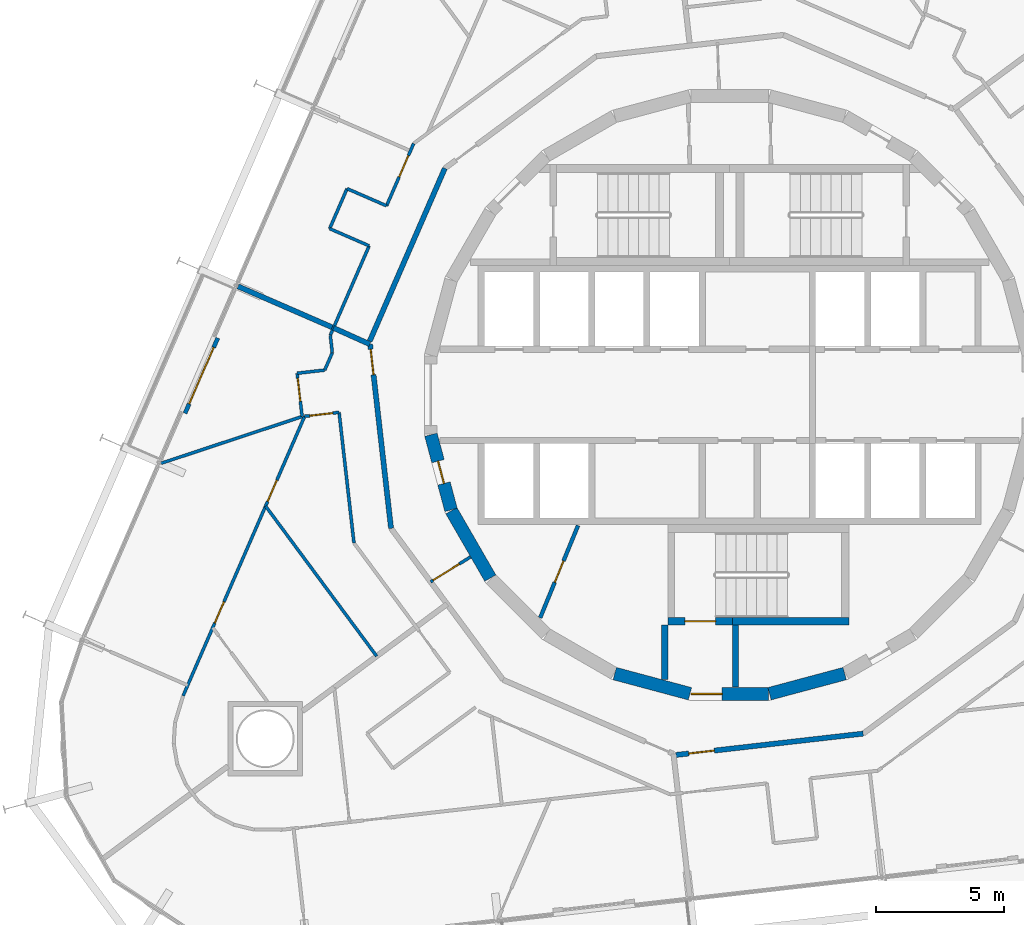
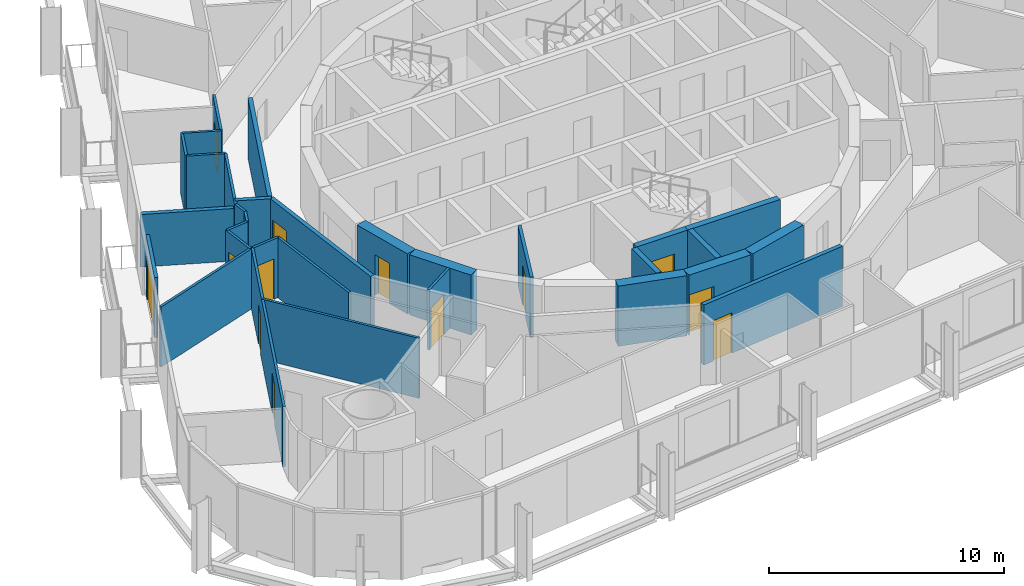
# One storey, part 17 of 23: 31 walls, 13 doors, 13 openings.
"""IFC4 building model written with IfcOpenShell, lengths in metres."""

from ifc_helpers import new_model, si_unit, direction, frame, frame_2d, origin, place, context, subcontext, project, spatial, rectangle, extrude, material, layer, layer_set, type_object, element, fill, save


model = new_model("IFC4")

# Units and contexts
model_context = context("Model", 3, precision=1e-05, world=origin(), true_north=direction((0.0, 1.0)))
body_context = subcontext(model_context, "Body", "Model", "MODEL_VIEW")
ifc_project = project(units=[si_unit("LENGTHUNIT", "METRE"), si_unit("AREAUNIT", "SQUARE_METRE"), si_unit("VOLUMEUNIT", "CUBIC_METRE"), si_unit("PLANEANGLEUNIT", "RADIAN"), si_unit("MASSUNIT", "GRAM", prefix="KILO")], contexts=[model_context])

# Site, building, storey
site_placement = place(None, origin())
site = spatial("IfcSite", under=ifc_project, at=site_placement, CompositionType="ELEMENT")
building_placement = place(site_placement, origin())
building = spatial("IfcBuilding", under=site, at=building_placement, Name="Spindle Arch Residences", CompositionType="ELEMENT")
storey_placement = place(building_placement, frame((0.0, 0.0, 83.699951171875)))
storey = spatial("IfcBuildingStorey", under=building, at=storey_placement, Name="L19", CompositionType="ELEMENT", Elevation=83.699951171875)

# Wall
ifc_material_1 = material(Name="Concrete C50/60", Category="concrete")
ifc_layer_1 = layer(ifc_material_1, 0.5)
ifc_layer_set_1 = layer_set([ifc_layer_1], Name="Core outline wall 500")
wall_type_1 = type_object("IfcWallType", Name="Core outline wall 500", PredefinedType="SHEAR", material=ifc_layer_set_1)
wall_1_placement = place(storey_placement, frame((1.5498046875, -11.642822265625, 0.0), z_axis=(0.0, 0.0, 1.0), x_axis=(0.965948410781, 0.258734743916, 0.0)))
element("IfcWall", 1, at=wall_1_placement, inside=storey, type_object=wall_type_1, Name="Core outline wall 1", PredefinedType="SHEAR", context=body_context, shape_type="SweptSolid", body=[
    extrude(rectangle(XDim=3.03271484375, YDim=0.5, at=frame_2d((1.516357421875, 0.0))), origin(), (0.0, 0.0, 1.0), 3.1201171875),
])

# Wall, opening, door
wall_2_placement = place(storey_placement, frame((-11.642822265625, -1.5498046875, 0.0), z_axis=(0.0, 0.0, 1.0), x_axis=(0.258734743916, -0.965948410781, 0.0)))
wall_2 = element("IfcWall", 2, at=wall_2_placement, inside=storey, type_object=wall_type_1, Name="Core outline wall 19", PredefinedType="SHEAR", context=body_context, shape_type="SweptSolid", body=[
    extrude(rectangle(XDim=3.03271484375, YDim=0.5, at=frame_2d((1.516357421875, 0.0))), origin(), (0.0, 0.0, 1.0), 3.1201171875),
])
opening_1_placement = place(wall_2_placement, frame((1.06640625, 0.0, 0.0)))
opening_1 = element("IfcOpeningElement", 3, at=opening_1_placement, cuts=wall_2, Name="Opening R2A0-WD10", PredefinedType="OPENING", context=body_context, shape_type="SweptSolid", body=[
    extrude(rectangle(XDim=0.89990234375, YDim=2.10009765625, at=frame_2d((0.449951171875, 1.050048828125))), frame((0.0, 0.260009765625, 0.0), z_axis=(0.0, -1.0, 0.0), x_axis=(1.0, 0.0, 0.0)), (0.0, 0.0, 1.0), 0.52001953125),
])
ifc_material_2 = material(Name="Steel, fire-resisting door", Category="steel")
door_type_1 = type_object("IfcDoorType", Name="Service room door 900x2100", OperationType="SINGLE_SWING_LEFT", PredefinedType="DOOR", material=ifc_material_2)
door_1_placement = place(opening_1_placement, origin())
door_1 = element("IfcDoor", 4, at=door_1_placement, inside=storey, type_object=door_type_1, Name="Service room door R2A0-WD10", OperationType="SINGLE_SWING_LEFT", OverallHeight=2.10009765625, OverallWidth=0.89990234375, PredefinedType="DOOR", context=body_context, shape_type="SweptSolid", body=[
    extrude(rectangle(XDim=0.89990234375, YDim=2.10009765625, at=frame_2d((0.449951171875, 1.050048828125))), frame((0.0, 0.02490234375, 0.0), z_axis=(0.0, -1.0, 0.0), x_axis=(1.0, 0.0, 0.0)), (0.0, 0.0, 1.0), 0.050048828125),
])
fill(opening_1, door_1)

# Walls
for number, where, z_axis, x_axis, name in (
    (5, (-10.84521484375, -4.510498046875, 0.0), (0.0, 0.0, 1.0), (0.500087131594, -0.865975092491, 0.0), "Core outline wall 20"),
    (6, (-4.479248046875, -10.858154296875, 0.0), (0.0, 0.0, 1.0), (0.965948410781, -0.258734743916, 0.0), "Core outline wall 23"),
):
    element("IfcWall", number, at=place(storey_placement, frame(where, z_axis=z_axis, x_axis=x_axis)), inside=storey, type_object=wall_type_1, Name=name, PredefinedType="SHEAR", context=body_context, shape_type="SweptSolid", body=[
        extrude(rectangle(XDim=3.03271484375, YDim=0.5, at=frame_2d((1.516357421875, 0.0))), origin(), (0.0, 0.0, 1.0), 3.1201171875),
    ])

# Wall, opening, door
wall_3_placement = place(storey_placement, frame((-1.516357421875, -11.647216796875, 0.0), z_axis=(0.0, 0.0, 1.0), x_axis=(1.0, 0.0, 0.0)))
wall_3 = element("IfcWall", 7, at=wall_3_placement, inside=storey, type_object=wall_type_1, Name="Core outline wall 24", PredefinedType="SHEAR", context=body_context, shape_type="SweptSolid", body=[
    extrude(rectangle(XDim=3.03271484375, YDim=0.5, at=frame_2d((1.516357421875, 0.0))), origin(), (0.0, 0.0, 1.0), 3.1201171875),
])
opening_2_placement = place(wall_3_placement, frame((0.016357421875, 0.0, 0.0)))
opening_2 = element("IfcOpeningElement", 8, at=opening_2_placement, cuts=wall_3, Name="Opening R2A0-AD03", PredefinedType="OPENING", context=body_context, shape_type="SweptSolid", body=[
    extrude(rectangle(XDim=1.199951171875, YDim=2.10009765625, at=frame_2d((0.60009765625, 1.050048828125))), frame((0.0, 0.260009765625, 0.0), z_axis=(0.0, -1.0, 0.0), x_axis=(1.0, 0.0, 0.0)), (0.0, 0.0, 1.0), 0.52001953125),
])
ifc_material_3 = material(Name="Steel, fire-resisting door", Category="steel")
door_type_2 = type_object("IfcDoorType", Name="Stair airlock door 1200x2100", OperationType="SINGLE_SWING_LEFT", PredefinedType="DOOR", material=ifc_material_3)
door_2_placement = place(opening_2_placement, origin())
door_2 = element("IfcDoor", 9, at=door_2_placement, inside=storey, type_object=door_type_2, Name="Stair airlock door R2A0-AD03", OperationType="SINGLE_SWING_RIGHT", OverallHeight=2.10009765625, OverallWidth=1.199951171875, PredefinedType="DOOR", context=body_context, shape_type="SweptSolid", body=[
    extrude(rectangle(XDim=1.199951171875, YDim=2.10009765625, at=frame_2d((0.60009765625, 1.050048828125))), frame((0.0, 0.02490234375, 0.0), z_axis=(0.0, -1.0, 0.0), x_axis=(1.0, 0.0, 0.0)), (0.0, 0.0, 1.0), 0.050048828125),
])
fill(opening_2, door_2)

ifc_material_4 = material(Name="Plasterboard on steel studs", Category="steel")
ifc_layer_2 = layer(ifc_material_4, 0.1201171875)
ifc_layer_set_2 = layer_set([ifc_layer_2], Name="Corridor division wall 120")
wall_type_2 = type_object("IfcWallType", Name="Corridor division wall 120", PredefinedType="PARTITIONING", material=ifc_layer_set_2)
wall_4_placement = place(storey_placement, frame((-11.654296875, -7.2822265625, 0.0), z_axis=(0.0, 0.0, 1.0), x_axis=(0.848117698675, 0.529807860638, 0.0)))
wall_4 = element("IfcWall", 10, at=wall_4_placement, inside=storey, type_object=wall_type_2, Name="Corridor division wall R2A0-W003", PredefinedType="PARTITIONING", context=body_context, shape_type="SweptSolid", body=[
    extrude(rectangle(XDim=1.837646484375, YDim=0.1201171875, at=frame_2d((0.9189453125, 0.0))), origin(), (0.0, 0.0, 1.0), 3.1201171875),
])
opening_3_placement = place(wall_4_placement, frame((0.114990234375, 0.0, 0.0)))
opening_3 = element("IfcOpeningElement", 11, at=opening_3_placement, cuts=wall_4, Name="Opening R2A0-CD03", PredefinedType="OPENING", context=body_context, shape_type="SweptSolid", body=[
    extrude(rectangle(XDim=1.199951171875, YDim=2.10009765625, at=frame_2d((0.60009765625, 1.050048828125))), frame((0.0, 0.070068359375, 0.0), z_axis=(0.0, -1.0, 0.0), x_axis=(1.0, 0.0, 0.0)), (0.0, 0.0, 1.0), 0.14013671875),
])
ifc_material_5 = material(Name="Steel, fire-resisting door", Category="steel")
door_type_3 = type_object("IfcDoorType", Name="Corridor division door 1200x2100", OperationType="NOTDEFINED", PredefinedType="DOOR", material=ifc_material_5)
door_3_placement = place(opening_3_placement, origin())
door_3 = element("IfcDoor", 12, at=door_3_placement, inside=storey, type_object=door_type_3, Name="Corridor division door R2A0-CD03", OperationType="DOUBLE_DOOR_SINGLE_SWING", OverallHeight=2.10009765625, OverallWidth=1.199951171875, PredefinedType="DOOR", context=body_context, shape_type="SweptSolid", body=[
    extrude(rectangle(XDim=1.199951171875, YDim=2.10009765625, at=frame_2d((0.60009765625, 1.050048828125))), frame((0.0, 0.02490234375, 0.0), z_axis=(0.0, -1.0, 0.0), x_axis=(1.0, 0.0, 0.0)), (0.0, 0.0, 1.0), 0.050048828125),
])
fill(opening_3, door_3)

# Wall
ifc_material_6 = material(Name="Calcium silicate block, plastered")
ifc_layer_3 = layer(ifc_material_6, 0.199951171875)
ifc_layer_set_3 = layer_set([ifc_layer_3], Name="Corridor wall 200")
wall_type_3 = type_object("IfcWallType", Name="Corridor wall 200", PredefinedType="STANDARD", material=ifc_layer_set_3)
wall_5_placement = place(storey_placement, frame((-11.10009765625, 8.829345703125, 0.0), z_axis=(0.0, 0.0, 1.0), x_axis=(-0.398741918631, -0.917063183388, 0.0)))
element("IfcWall", 13, at=wall_5_placement, inside=storey, type_object=wall_type_3, Name="Corridor wall R2A0-W010", PredefinedType="STANDARD", context=body_context, shape_type="SweptSolid", body=[
    extrude(rectangle(XDim=7.341796875, YDim=0.199951171875, at=frame_2d((3.6708984375, 0.0))), origin(), (0.0, 0.0, 1.0), 3.1201171875),
])

# Wall, opening, door
wall_6_placement = place(storey_placement, frame((-14.013427734375, 1.97412109375, 0.0), z_axis=(0.0, 0.0, 1.0), x_axis=(0.113196526349, -0.993572617589, 0.0)))
wall_6 = element("IfcWall", 14, at=wall_6_placement, inside=storey, type_object=wall_type_3, Name="Corridor wall R2A0-W011", PredefinedType="STANDARD", context=body_context, shape_type="SweptSolid", body=[
    extrude(rectangle(XDim=7.21875, YDim=0.199951171875, at=frame_2d((3.609375, 0.0))), origin(), (0.0, 0.0, 1.0), 3.1201171875),
])
opening_4_placement = place(wall_6_placement, frame((0.199951171875, 0.0, 0.0)))
opening_4 = element("IfcOpeningElement", 15, at=opening_4_placement, cuts=wall_6, Name="Opening R2A0-FD04", PredefinedType="OPENING", context=body_context, shape_type="SweptSolid", body=[
    extrude(rectangle(XDim=1.0, YDim=2.10009765625, at=frame_2d((0.5, 1.050048828125))), frame((0.0, 0.10986328125, 0.0), z_axis=(0.0, -1.0, 0.0), x_axis=(1.0, 0.0, 0.0)), (0.0, 0.0, 1.0), 0.219970703125),
])
ifc_material_7 = material(Name="Timber, fire-resisting door set", Category="wood")
door_type_4 = type_object("IfcDoorType", Name="Flat entrance door 1000x2100", OperationType="NOTDEFINED", PredefinedType="DOOR", material=ifc_material_7)
door_4_placement = place(opening_4_placement, origin())
door_4 = element("IfcDoor", 16, at=door_4_placement, inside=storey, type_object=door_type_4, Name="Flat entrance door R2A0-FD04", OperationType="SINGLE_SWING_RIGHT", OverallHeight=2.10009765625, OverallWidth=1.0, PredefinedType="DOOR", context=body_context, shape_type="SweptSolid", body=[
    extrude(rectangle(XDim=1.0, YDim=2.10009765625, at=frame_2d((0.5, 1.050048828125))), frame((0.0, 0.02490234375, 0.0), z_axis=(0.0, -1.0, 0.0), x_axis=(1.0, 0.0, 0.0)), (0.0, 0.0, 1.0), 0.050048828125),
])
fill(opening_4, door_4)

wall_7_placement = place(storey_placement, frame((-2.096435546875, -14.027587890625, 0.0), z_axis=(0.0, 0.0, 1.0), x_axis=(0.993569170114, 0.113226782163, 0.0)))
wall_7 = element("IfcWall", 17, at=wall_7_placement, inside=storey, type_object=wall_type_3, Name="Corridor wall R2A0-W014", PredefinedType="STANDARD", context=body_context, shape_type="SweptSolid", body=[
    extrude(rectangle(XDim=7.341796875, YDim=0.199951171875, at=frame_2d((3.6708984375, 0.0))), origin(), (0.0, 0.0, 1.0), 3.1201171875),
])
opening_5_placement = place(wall_7_placement, frame((0.5, 0.0, 0.0)))
opening_5 = element("IfcOpeningElement", 18, at=opening_5_placement, cuts=wall_7, Name="Opening R2A0-FD06", PredefinedType="OPENING", context=body_context, shape_type="SweptSolid", body=[
    extrude(rectangle(XDim=1.0, YDim=2.10009765625, at=frame_2d((0.5, 1.050048828125))), frame((0.0, 0.10986328125, 0.0), z_axis=(0.0, -1.0, 0.0), x_axis=(1.0, 0.0, 0.0)), (0.0, 0.0, 1.0), 0.219970703125),
])
door_5_placement = place(opening_5_placement, origin())
door_5 = element("IfcDoor", 19, at=door_5_placement, inside=storey, type_object=door_type_4, Name="Flat entrance door R2A0-FD06", OperationType="SINGLE_SWING_LEFT", OverallHeight=2.10009765625, OverallWidth=1.0, PredefinedType="DOOR", context=body_context, shape_type="SweptSolid", body=[
    extrude(rectangle(XDim=1.0, YDim=2.10009765625, at=frame_2d((0.5, 1.050048828125))), frame((0.0, 0.02490234375, 0.0), z_axis=(0.0, -1.0, 0.0), x_axis=(1.0, 0.0, 0.0)), (0.0, 0.0, 1.0), 0.050048828125),
])
fill(opening_5, door_5)

ifc_material_8 = material(Name="Plasterboard on steel studs", Category="steel")
ifc_layer_4 = layer(ifc_material_8, 0.1201171875)
ifc_layer_set_4 = layer_set([ifc_layer_4], Name="Flat partition 120")
wall_type_4 = type_object("IfcWallType", Name="Flat partition 120", PredefinedType="PARTITIONING", material=ifc_layer_set_4)
wall_8_placement = place(storey_placement, frame((-12.315185546875, 9.7958984375, 0.0), z_axis=(0.0, 0.0, 1.0), x_axis=(-0.398790200406, -0.917042188812, 0.0)))
wall_8 = element("IfcWall", 20, at=wall_8_placement, inside=storey, type_object=wall_type_4, Name="Flat partition R2A0-W068", PredefinedType="PARTITIONING", context=body_context, shape_type="SweptSolid", body=[
    extrude(rectangle(XDim=2.646484375, YDim=0.1201171875, at=frame_2d((1.3232421875, 0.0))), origin(), (0.0, 0.0, 1.0), 3.1201171875),
])
opening_6_placement = place(wall_8_placement, frame((0.513427734375, 0.0, 0.0)))
opening_6 = element("IfcOpeningElement", 21, at=opening_6_placement, cuts=wall_8, Name="Opening R2A0-ID13", PredefinedType="OPENING", context=body_context, shape_type="SweptSolid", body=[
    extrude(rectangle(XDim=0.89990234375, YDim=2.10009765625, at=frame_2d((0.449951171875, 1.050048828125))), frame((0.0, 0.070068359375, 0.0), z_axis=(0.0, -1.0, 0.0), x_axis=(1.0, 0.0, 0.0)), (0.0, 0.0, 1.0), 0.14013671875),
])
ifc_material_9 = material(Name="Timber door set", Category="wood")
door_type_5 = type_object("IfcDoorType", Name="Room door 900x2100", OperationType="NOTDEFINED", PredefinedType="DOOR", material=ifc_material_9)
door_6_placement = place(opening_6_placement, origin())
door_6 = element("IfcDoor", 22, at=door_6_placement, inside=storey, type_object=door_type_5, Name="Room door R2A0-ID13", OperationType="SINGLE_SWING_LEFT", OverallHeight=2.10009765625, OverallWidth=0.89990234375, PredefinedType="DOOR", context=body_context, shape_type="SweptSolid", body=[
    extrude(rectangle(XDim=0.89990234375, YDim=2.10009765625, at=frame_2d((0.449951171875, 1.050048828125))), frame((0.0, 0.02490234375, 0.0), z_axis=(0.0, -1.0, 0.0), x_axis=(1.0, 0.0, 0.0)), (0.0, 0.0, 1.0), 0.050048828125),
])
fill(opening_6, door_6)

# Walls
wall_9_placement = place(storey_placement, frame((-13.37060546875, 7.368896484375, 0.0), z_axis=(0.0, 0.0, 1.0), x_axis=(-0.917109358393, 0.398635704306, 0.0)))
element("IfcWall", 23, at=wall_9_placement, inside=storey, type_object=wall_type_4, Name="Flat partition R2A0-W069", PredefinedType="PARTITIONING", context=body_context, shape_type="SweptSolid", body=[
    extrude(rectangle(XDim=1.6787109375, YDim=0.1201171875, at=frame_2d((0.83935546875, 0.0))), origin(), (0.0, 0.0, 1.0), 3.1201171875),
])
wall_10_placement = place(storey_placement, frame((-14.91015625, 8.0380859375, 0.0), z_axis=(0.0, 0.0, 1.0), x_axis=(-0.398715607479, -0.91707462311, 0.0)))
element("IfcWall", 24, at=wall_10_placement, inside=storey, type_object=wall_type_4, Name="Flat partition R2A0-W070", PredefinedType="PARTITIONING", context=body_context, shape_type="SweptSolid", body=[
    extrude(rectangle(XDim=1.69970703125, YDim=0.1201171875, at=frame_2d((0.849853515625, 0.0))), origin(), (0.0, 0.0, 1.0), 3.1201171875),
])
wall_11_placement = place(storey_placement, frame((-15.587890625, 6.479248046875, 0.0), z_axis=(0.0, 0.0, 1.0), x_axis=(0.917033055073, -0.398811203332, 0.0)))
element("IfcWall", 25, at=wall_11_placement, inside=storey, type_object=wall_type_4, Name="Flat partition R2A0-W071", PredefinedType="PARTITIONING", context=body_context, shape_type="SweptSolid", body=[
    extrude(rectangle(XDim=1.678466796875, YDim=0.1201171875, at=frame_2d((0.83935546875, 0.0))), origin(), (0.0, 0.0, 1.0), 3.1201171875),
])
wall_12_placement = place(storey_placement, frame((-14.048583984375, 5.809814453125, 0.0), z_axis=(0.0, 0.0, 1.0), x_axis=(-0.398707311688, -0.917078229818, 0.0)))
element("IfcWall", 26, at=wall_12_placement, inside=storey, type_object=wall_type_4, Name="Flat partition R2A0-W072", PredefinedType="PARTITIONING", context=body_context, shape_type="SweptSolid", body=[
    extrude(rectangle(XDim=3.798828125, YDim=0.1201171875, at=frame_2d((1.8994140625, 0.0))), origin(), (0.0, 0.0, 1.0), 3.1201171875),
])
wall_13_placement = place(storey_placement, frame((-15.563232421875, 2.325927734375, 0.0), z_axis=(0.0, 0.0, 1.0), x_axis=(0.113013677091, -0.993593432341, 0.0)))
element("IfcWall", 27, at=wall_13_placement, inside=storey, type_object=wall_type_4, Name="Flat partition R2A0-W083", PredefinedType="PARTITIONING", context=body_context, shape_type="SweptSolid", body=[
    extrude(rectangle(XDim=0.684814453125, YDim=0.1201171875, at=frame_2d((0.34228515625, 0.0))), origin(), (0.0, 0.0, 1.0), 3.1201171875),
])
wall_14_placement = place(storey_placement, frame((-15.48583984375, 1.6455078125, 0.0), z_axis=(0.0, 0.0, 1.0), x_axis=(-0.398701933952, -0.917080567814, 0.0)))
element("IfcWall", 28, at=wall_14_placement, inside=storey, type_object=wall_type_4, Name="Flat partition R2A0-W084", PredefinedType="PARTITIONING", context=body_context, shape_type="SweptSolid", body=[
    extrude(rectangle(XDim=0.738525390625, YDim=0.1201171875, at=frame_2d((0.369140625, 0.0))), origin(), (0.0, 0.0, 1.0), 3.1201171875),
])
wall_15_placement = place(storey_placement, frame((-15.7802734375, 0.96826171875, 0.0), z_axis=(0.0, 0.0, 1.0), x_axis=(-0.99355448905, -0.113355534887, 0.0)))
element("IfcWall", 29, at=wall_15_placement, inside=storey, type_object=wall_type_4, Name="Flat partition R2A0-W085", PredefinedType="PARTITIONING", context=body_context, shape_type="SweptSolid", body=[
    extrude(rectangle(XDim=1.081298828125, YDim=0.1201171875, at=frame_2d((0.54052734375, 0.0))), origin(), (0.0, 0.0, 1.0), 3.1201171875),
])

# Wall, opening, door
wall_16_placement = place(storey_placement, frame((-16.8544921875, 0.845703125, 0.0), z_axis=(0.0, 0.0, 1.0), x_axis=(0.113173930474, -0.993575191649, 0.0)))
wall_16 = element("IfcWall", 30, at=wall_16_placement, inside=storey, type_object=wall_type_4, Name="Flat partition R2A0-W086", PredefinedType="PARTITIONING", context=body_context, shape_type="SweptSolid", body=[
    extrude(rectangle(XDim=1.699951171875, YDim=0.1201171875, at=frame_2d((0.85009765625, 0.0))), origin(), (0.0, 0.0, 1.0), 3.1201171875),
])
opening_7_placement = place(wall_16_placement, frame((0.199951171875, 0.0, 0.0)))
opening_7 = element("IfcOpeningElement", 31, at=opening_7_placement, cuts=wall_16, Name="Opening R2A0-ID18", PredefinedType="OPENING", context=body_context, shape_type="SweptSolid", body=[
    extrude(rectangle(XDim=0.89990234375, YDim=2.10009765625, at=frame_2d((0.449951171875, 1.050048828125))), frame((0.0, 0.070068359375, 0.0), z_axis=(0.0, -1.0, 0.0), x_axis=(1.0, 0.0, 0.0)), (0.0, 0.0, 1.0), 0.14013671875),
])
door_7_placement = place(opening_7_placement, origin())
door_7 = element("IfcDoor", 32, at=door_7_placement, inside=storey, type_object=door_type_5, Name="Room door R2A0-ID18", OperationType="SINGLE_SWING_RIGHT", OverallHeight=2.10009765625, OverallWidth=0.89990234375, PredefinedType="DOOR", context=body_context, shape_type="SweptSolid", body=[
    extrude(rectangle(XDim=0.89990234375, YDim=2.10009765625, at=frame_2d((0.449951171875, 1.050048828125))), frame((0.0, 0.02490234375, 0.0), z_axis=(0.0, -1.0, 0.0), x_axis=(1.0, 0.0, 0.0)), (0.0, 0.0, 1.0), 0.050048828125),
])
fill(opening_7, door_7)

wall_17_placement = place(storey_placement, frame((-16.56298828125, -0.831787109375, 0.0), z_axis=(0.0, 0.0, 1.0), x_axis=(0.993578035261, 0.113148963084, 0.0)))
wall_17 = element("IfcWall", 33, at=wall_17_placement, inside=storey, type_object=wall_type_4, Name="Flat partition R2A0-W087", PredefinedType="PARTITIONING", context=body_context, shape_type="SweptSolid", body=[
    extrude(rectangle(XDim=1.350830078125, YDim=0.1201171875, at=frame_2d((0.67529296875, 0.0))), origin(), (0.0, 0.0, 1.0), 3.1201171875),
])
opening_8_placement = place(wall_17_placement, frame((0.199951171875, 0.0, 0.0)))
opening_8 = element("IfcOpeningElement", 34, at=opening_8_placement, cuts=wall_17, Name="Opening R2A0-ID19", PredefinedType="OPENING", context=body_context, shape_type="SweptSolid", body=[
    extrude(rectangle(XDim=0.89990234375, YDim=2.10009765625, at=frame_2d((0.449951171875, 1.050048828125))), frame((0.0, 0.070068359375, 0.0), z_axis=(0.0, -1.0, 0.0), x_axis=(1.0, 0.0, 0.0)), (0.0, 0.0, 1.0), 0.14013671875),
])
door_8_placement = place(opening_8_placement, origin())
door_8 = element("IfcDoor", 35, at=door_8_placement, inside=storey, type_object=door_type_5, Name="Room door R2A0-ID19", OperationType="SINGLE_SWING_LEFT", OverallHeight=2.10009765625, OverallWidth=0.89990234375, PredefinedType="DOOR", context=body_context, shape_type="SweptSolid", body=[
    extrude(rectangle(XDim=0.89990234375, YDim=2.10009765625, at=frame_2d((0.449951171875, 1.050048828125))), frame((0.0, 0.02490234375, 0.0), z_axis=(0.0, -1.0, 0.0), x_axis=(1.0, 0.0, 0.0)), (0.0, 0.0, 1.0), 0.050048828125),
])
fill(opening_8, door_8)

# Walls
wall_18_placement = place(storey_placement, frame((-15.220947265625, -0.678955078125, 0.0), z_axis=(0.0, 0.0, 1.0), x_axis=(0.113219875647, -0.993569957154, 0.0)))
element("IfcWall", 36, at=wall_18_placement, inside=storey, type_object=wall_type_4, Name="Flat partition R2A0-W088", PredefinedType="PARTITIONING", context=body_context, shape_type="SweptSolid", body=[
    extrude(rectangle(XDim=5.121337890625, YDim=0.1201171875, at=frame_2d((2.560546875, 0.0))), origin(), (0.0, 0.0, 1.0), 3.1201171875),
])
wall_19_placement = place(storey_placement, frame((-22.157470703125, -2.663818359375, 0.0), z_axis=(0.0, 0.0, 1.0), x_axis=(0.949263673698, 0.314481283698, 0.0)))
element("IfcWall", 37, at=wall_19_placement, inside=storey, type_object=wall_type_4, Name="Flat partition R2A0-W090", PredefinedType="PARTITIONING", context=body_context, shape_type="SweptSolid", body=[
    extrude(rectangle(XDim=5.7890625, YDim=0.1201171875, at=frame_2d((2.89453125, 0.0))), origin(), (0.0, 0.0, 1.0), 3.1201171875),
])

# Wall, openings, doors
wall_20_placement = place(storey_placement, frame((-21.298095703125, -11.72216796875, 0.0), z_axis=(0.0, 0.0, 1.0), x_axis=(0.398737387658, 0.917065153456, 0.0)))
wall_20 = element("IfcWall", 38, at=wall_20_placement, inside=storey, type_object=wall_type_4, Name="Flat partition R2A0-W091", PredefinedType="PARTITIONING", context=body_context, shape_type="SweptSolid", body=[
    extrude(rectangle(XDim=11.875244140625, YDim=0.1201171875, at=frame_2d((5.9375, 0.0))), origin(), (0.0, 0.0, 1.0), 3.1201171875),
])
opening_9_placement = place(wall_20_placement, frame((8.259765625, 0.0, 0.0)))
opening_9 = element("IfcOpeningElement", 39, at=opening_9_placement, cuts=wall_20, Name="Opening R2A0-ID20", PredefinedType="OPENING", context=body_context, shape_type="SweptSolid", body=[
    extrude(rectangle(XDim=0.89990234375, YDim=2.10009765625, at=frame_2d((0.449951171875, 1.050048828125))), frame((0.0, 0.070068359375, 0.0), z_axis=(0.0, -1.0, 0.0), x_axis=(1.0, 0.0, 0.0)), (0.0, 0.0, 1.0), 0.14013671875),
])
opening_10_placement = place(wall_20_placement, frame((3.09375, 0.0, 0.0)))
opening_10 = element("IfcOpeningElement", 40, at=opening_10_placement, cuts=wall_20, Name="Opening R2A0-ID21", PredefinedType="OPENING", context=body_context, shape_type="SweptSolid", body=[
    extrude(rectangle(XDim=0.89990234375, YDim=2.10009765625, at=frame_2d((0.449951171875, 1.050048828125))), frame((0.0, 0.070068359375, 0.0), z_axis=(0.0, -1.0, 0.0), x_axis=(1.0, 0.0, 0.0)), (0.0, 0.0, 1.0), 0.14013671875),
])
door_9_placement = place(opening_9_placement, origin())
door_9 = element("IfcDoor", 41, at=door_9_placement, inside=storey, type_object=door_type_5, Name="Room door R2A0-ID20", OperationType="SINGLE_SWING_RIGHT", OverallHeight=2.10009765625, OverallWidth=0.89990234375, PredefinedType="DOOR", context=body_context, shape_type="SweptSolid", body=[
    extrude(rectangle(XDim=0.89990234375, YDim=2.10009765625, at=frame_2d((0.449951171875, 1.050048828125))), frame((0.0, 0.02490234375, 0.0), z_axis=(0.0, -1.0, 0.0), x_axis=(1.0, 0.0, 0.0)), (0.0, 0.0, 1.0), 0.050048828125),
])
fill(opening_9, door_9)
door_10_placement = place(opening_10_placement, origin())
door_10 = element("IfcDoor", 42, at=door_10_placement, inside=storey, type_object=door_type_5, Name="Room door R2A0-ID21", OperationType="SINGLE_SWING_LEFT", OverallHeight=2.10009765625, OverallWidth=0.89990234375, PredefinedType="DOOR", context=body_context, shape_type="SweptSolid", body=[
    extrude(rectangle(XDim=0.89990234375, YDim=2.10009765625, at=frame_2d((0.449951171875, 1.050048828125))), frame((0.0, 0.02490234375, 0.0), z_axis=(0.0, -1.0, 0.0), x_axis=(1.0, 0.0, 0.0)), (0.0, 0.0, 1.0), 0.050048828125),
])
fill(opening_10, door_10)

# Walls
wall_21_placement = place(storey_placement, frame((-18.084228515625, -4.330810546875, 0.0), z_axis=(0.0, 0.0, 1.0), x_axis=(0.594811782108, -0.803865003508, 0.0)))
element("IfcWall", 43, at=wall_21_placement, inside=storey, type_object=wall_type_4, Name="Flat partition R2A0-W093", PredefinedType="PARTITIONING", context=body_context, shape_type="SweptSolid", body=[
    extrude(rectangle(XDim=7.275634765625, YDim=0.1201171875, at=frame_2d((3.6376953125, 0.0))), origin(), (0.0, 0.0, 1.0), 3.1201171875),
])
ifc_material_10 = material(Name="Calcium silicate block, plastered")
ifc_layer_5 = layer(ifc_material_10, 0.199951171875)
ifc_layer_set_5 = layer_set([ifc_layer_5], Name="Flat party wall 200")
wall_type_5 = type_object("IfcWallType", Name="Flat party wall 200", PredefinedType="STANDARD", material=ifc_layer_set_5)
wall_22_placement = place(storey_placement, frame((-15.438720703125, 2.612548828125, 0.0), z_axis=(0.0, 0.0, 1.0), x_axis=(0.911830308819, -0.410567275752, 0.0)))
element("IfcWall", 44, at=wall_22_placement, inside=storey, type_object=wall_type_5, Name="Flat party wall R2A0-W022", PredefinedType="STANDARD", context=body_context, shape_type="SweptSolid", body=[
    extrude(rectangle(XDim=1.55322265625, YDim=0.199951171875, at=frame_2d((0.776611328125, 0.0))), origin(), (0.0, 0.0, 1.0), 3.1201171875),
])
ifc_material_11 = material(Name="Calcium silicate block, plastered")
ifc_layer_6 = layer(ifc_material_11, 0.199951171875)
ifc_layer_set_6 = layer_set([ifc_layer_6], Name="Flat party wall 200 under beam 2730")
wall_type_6 = type_object("IfcWallType", Name="Flat party wall 200 under beam 2730", PredefinedType="STANDARD", material=ifc_layer_set_6)
wall_23_placement = place(storey_placement, frame((-19.1591796875, 4.231201171875, 0.0), z_axis=(0.0, 0.0, 1.0), x_axis=(0.91704996524, -0.398772317562, 0.0)))
element("IfcWall", 45, at=wall_23_placement, inside=storey, type_object=wall_type_6, Name="Flat party wall R2A0-W023", PredefinedType="STANDARD", context=body_context, shape_type="SweptSolid", body=[
    extrude(rectangle(XDim=4.057373046875, YDim=0.199951171875, at=frame_2d((2.02880859375, 0.0))), origin(), (0.0, 0.0, 1.0), 2.72998046875),
])

# Wall, opening, door
ifc_material_12 = material(Name="Non-combustible mineral wool insulated aluminium faced external wall (K0)", Category="aluminium")
ifc_layer_7 = layer(ifc_material_12, 0.159912109375)
ifc_layer_set_7 = layer_set([ifc_layer_7], Name="Insulated external wall panel 160")
wall_type_7 = type_object("IfcWallType", Name="Insulated external wall panel 160", PredefinedType="STANDARD", material=ifc_layer_set_7)
wall_24_placement = place(storey_placement, frame((-19.947021484375, 2.218994140625, 0.0), z_axis=(0.0, 0.0, 1.0), x_axis=(-0.398784695066, -0.917044582876, 0.0)))
wall_24 = element("IfcWall", 46, at=wall_24_placement, inside=storey, type_object=wall_type_7, Name="External wall L19 bay 17", PredefinedType="STANDARD", context=body_context, shape_type="SweptSolid", body=[
    extrude(rectangle(XDim=3.199951171875, YDim=0.159912109375, at=frame_2d((1.60009765625, 0.0))), origin(), (0.0, 0.0, 1.0), 3.1201171875),
])
opening_11_placement = place(wall_24_placement, frame((0.39990234375, 0.0, 0.0)))
opening_11 = element("IfcOpeningElement", 47, at=opening_11_placement, cuts=wall_24, Name="Opening BD17", PredefinedType="OPENING", context=body_context, shape_type="SweptSolid", body=[
    extrude(rectangle(XDim=2.39990234375, YDim=2.39990234375, at=frame_2d((1.199951171875, 1.199951171875))), frame((0.0, 0.08984375, 0.0), z_axis=(0.0, -1.0, 0.0), x_axis=(1.0, 0.0, 0.0)), (0.0, 0.0, 1.0), 0.179931640625),
])
ifc_material_13 = material(Name="Bronze aluminium frame, tinted double glazing", Category="aluminium")
door_type_6 = type_object("IfcDoorType", Name="Sliding glazed balcony door 2400x2400", OperationType="DOUBLE_DOOR_SLIDING", PredefinedType="DOOR", material=ifc_material_13)
door_11_placement = place(opening_11_placement, origin())
door_11 = element("IfcDoor", 48, at=door_11_placement, inside=storey, type_object=door_type_6, Name="Balcony door BD17", OperationType="DOUBLE_DOOR_SLIDING", OverallHeight=2.39990234375, OverallWidth=2.39990234375, PredefinedType="DOOR", context=body_context, shape_type="SweptSolid", body=[
    extrude(rectangle(XDim=2.39990234375, YDim=2.39990234375, at=frame_2d((1.199951171875, 1.199951171875))), frame((0.0, 0.02490234375, 0.0), z_axis=(0.0, -1.0, 0.0), x_axis=(1.0, 0.0, 0.0)), (0.0, 0.0, 1.0), 0.050048828125),
])
fill(opening_11, door_11)

ifc_material_14 = material(Name="Concrete C25/30", Category="concrete")
ifc_layer_8 = layer(ifc_material_14, 0.14990234375)
ifc_layer_set_8 = layer_set([ifc_layer_8], Name="Service room partition 150")
wall_type_8 = type_object("IfcWallType", Name="Service room partition 150", PredefinedType="PARTITIONING", material=ifc_layer_set_8)
wall_25_placement = place(storey_placement, frame((-7.385009765625, -8.680908203125, 0.0), z_axis=(0.0, 0.0, 1.0), x_axis=(0.379804590409, 0.925066739811, 0.0)))
wall_25 = element("IfcWall", 49, at=wall_25_placement, inside=storey, type_object=wall_type_8, Name="Core service room partition", PredefinedType="PARTITIONING", context=body_context, shape_type="SweptSolid", body=[
    extrude(rectangle(XDim=3.885009765625, YDim=0.14990234375, at=frame_2d((1.9423828125, 0.0))), origin(), (0.0, 0.0, 1.0), 3.1201171875),
])
opening_12_placement = place(wall_25_placement, frame((1.49267578125, 0.0, 0.0)))
opening_12 = element("IfcOpeningElement", 50, at=opening_12_placement, cuts=wall_25, Name="Opening R2A0-WD06", PredefinedType="OPENING", context=body_context, shape_type="SweptSolid", body=[
    extrude(rectangle(XDim=0.89990234375, YDim=2.10009765625, at=frame_2d((0.449951171875, 1.050048828125))), frame((0.0, 0.0849609375, 0.0), z_axis=(0.0, -1.0, 0.0), x_axis=(1.0, 0.0, 0.0)), (0.0, 0.0, 1.0), 0.169921875),
])
door_12_placement = place(opening_12_placement, origin())
door_12 = element("IfcDoor", 51, at=door_12_placement, inside=storey, type_object=door_type_1, Name="Service room door R2A0-WD06", OperationType="SINGLE_SWING_LEFT", OverallHeight=2.10009765625, OverallWidth=0.89990234375, PredefinedType="DOOR", context=body_context, shape_type="SweptSolid", body=[
    extrude(rectangle(XDim=0.89990234375, YDim=2.10009765625, at=frame_2d((0.449951171875, 1.050048828125))), frame((0.0, 0.02490234375, 0.0), z_axis=(0.0, -1.0, 0.0), x_axis=(1.0, 0.0, 0.0)), (0.0, 0.0, 1.0), 0.050048828125),
])
fill(opening_12, door_12)

# Walls
ifc_material_15 = material(Name="Concrete C40/50", Category="concrete")
ifc_layer_9 = layer(ifc_material_15, 0.25)
ifc_layer_set_9 = layer_set([ifc_layer_9], Name="Stair airlock wall 250")
wall_type_9 = type_object("IfcWallType", Name="Stair airlock wall 250", PredefinedType="SHEAR", material=ifc_layer_set_9)
wall_26_placement = place(storey_placement, frame((-2.52490234375, -8.969970703125, 0.0), z_axis=(0.0, 0.0, 1.0), x_axis=(0.0, -1.0, 0.0)))
element("IfcWall", 52, at=wall_26_placement, inside=storey, type_object=wall_type_9, Name="Stair ST-3 airlock wall W", PredefinedType="SHEAR", context=body_context, shape_type="SweptSolid", body=[
    extrude(rectangle(XDim=2.110107421875, YDim=0.25, at=frame_2d((1.05517578125, 0.0))), origin(), (0.0, 0.0, 1.0), 3.1201171875),
])
wall_27_placement = place(storey_placement, frame((0.22509765625, -8.969970703125, 0.0), z_axis=(0.0, 0.0, 1.0), x_axis=(0.0, -1.0, 0.0)))
element("IfcWall", 53, at=wall_27_placement, inside=storey, type_object=wall_type_9, Name="Stair ST-3 airlock wall E", PredefinedType="SHEAR", context=body_context, shape_type="SweptSolid", body=[
    extrude(rectangle(XDim=2.409912109375, YDim=0.25, at=frame_2d((1.205078125, 0.0))), origin(), (0.0, 0.0, 1.0), 3.1201171875),
])
ifc_material_16 = material(Name="Concrete C50/60", Category="concrete")
ifc_layer_10 = layer(ifc_material_16, 0.300048828125)
ifc_layer_set_10 = layer_set([ifc_layer_10], Name="Stair enclosure wall 300")
wall_type_10 = type_object("IfcWallType", Name="Stair enclosure wall 300", PredefinedType="SHEAR", material=ifc_layer_set_10)
wall_28_placement = place(storey_placement, frame((0.10009765625, -8.820068359375, 0.0), z_axis=(0.0, 0.0, 1.0), x_axis=(1.0, 0.0, 0.0)))
element("IfcWall", 54, at=wall_28_placement, inside=storey, type_object=wall_type_10, Name="Stair ST-3 enclosure wall S", PredefinedType="SHEAR", context=body_context, shape_type="SweptSolid", body=[
    extrude(rectangle(XDim=4.5498046875, YDim=0.300048828125, at=frame_2d((2.27490234375, 0.0))), origin(), (0.0, 0.0, 1.0), 3.1201171875),
])

# Wall, opening, door
wall_29_placement = place(storey_placement, frame((-2.39990234375, -8.820068359375, 0.0), z_axis=(0.0, 0.0, 1.0), x_axis=(1.0, 0.0, 0.0)))
wall_29 = element("IfcWall", 55, at=wall_29_placement, inside=storey, type_object=wall_type_10, Name="Stair ST-3 door wall", PredefinedType="SHEAR", context=body_context, shape_type="SweptSolid", body=[
    extrude(rectangle(XDim=2.5, YDim=0.300048828125, at=frame_2d((1.25, 0.0))), origin(), (0.0, 0.0, 1.0), 3.1201171875),
])
opening_13_placement = place(wall_29_placement, frame((0.64990234375, 0.0, 0.0)))
opening_13 = element("IfcOpeningElement", 56, at=opening_13_placement, cuts=wall_29, Name="Opening R2A0-SD03", PredefinedType="OPENING", context=body_context, shape_type="SweptSolid", body=[
    extrude(rectangle(XDim=1.199951171875, YDim=2.10009765625, at=frame_2d((0.60009765625, 1.050048828125))), frame((0.0, 0.16015625, 0.0), z_axis=(0.0, -1.0, 0.0), x_axis=(1.0, 0.0, 0.0)), (0.0, 0.0, 1.0), 0.320068359375),
])
ifc_material_17 = material(Name="Steel, fire-resisting door", Category="steel")
door_type_7 = type_object("IfcDoorType", Name="Stair door 1200x2100", OperationType="SINGLE_SWING_RIGHT", PredefinedType="DOOR", material=ifc_material_17)
door_13_placement = place(opening_13_placement, origin())
door_13 = element("IfcDoor", 57, at=door_13_placement, inside=storey, type_object=door_type_7, Name="Stair door R2A0-SD03", OperationType="SINGLE_SWING_LEFT", OverallHeight=2.10009765625, OverallWidth=1.199951171875, PredefinedType="DOOR", context=body_context, shape_type="SweptSolid", body=[
    extrude(rectangle(XDim=1.199951171875, YDim=2.10009765625, at=frame_2d((0.60009765625, 1.050048828125))), frame((0.0, 0.02490234375, 0.0), z_axis=(0.0, -1.0, 0.0), x_axis=(1.0, 0.0, 0.0)), (0.0, 0.0, 1.0), 0.050048828125),
])
fill(opening_13, door_13)

save(model, "model.ifc")
